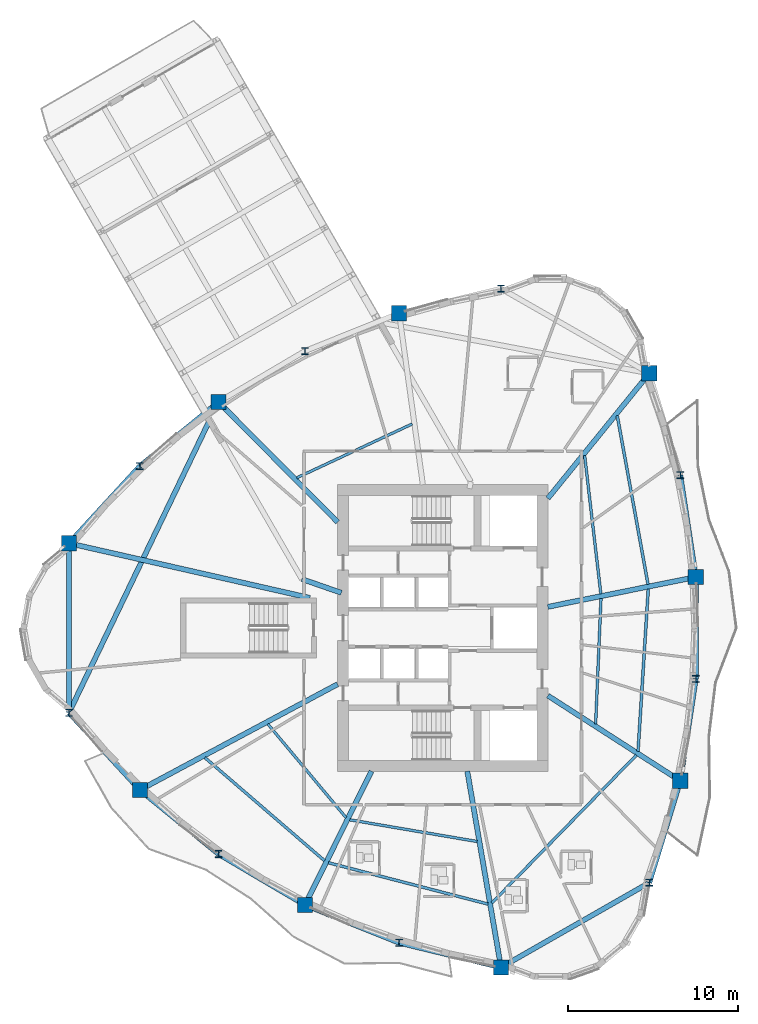
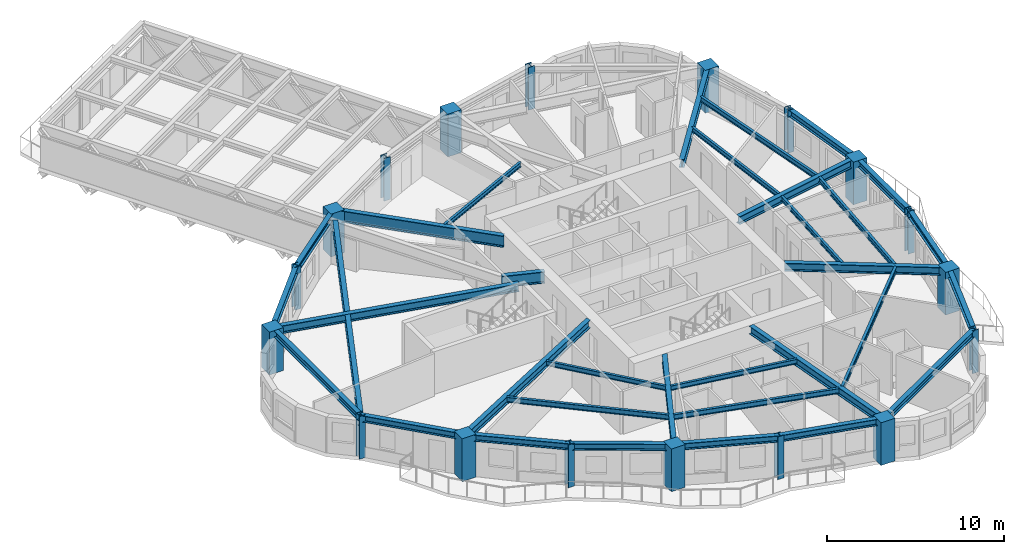
# One storey, part 1 of 14: 33 beams, 18 columns.
"""IFC4 building model written with IfcOpenShell, lengths in metres."""

from ifc_helpers import new_model, si_unit, direction, frame, origin, origin_2d, place, context, subcontext, project, spatial, rectangle, i_section, extrude, source, transform, mapped, material, material_profile, profile_set, type_object, element, save


model = new_model("IFC4")

# Units and contexts
model_context = context("Model", 3, precision=1e-05, world=origin(), true_north=direction((0.0, 1.0)))
body_context = subcontext(model_context, "Body", "Model", "MODEL_VIEW")
ifc_project = project(units=[si_unit("LENGTHUNIT", "METRE"), si_unit("AREAUNIT", "SQUARE_METRE"), si_unit("VOLUMEUNIT", "CUBIC_METRE"), si_unit("PLANEANGLEUNIT", "RADIAN"), si_unit("MASSUNIT", "GRAM", prefix="KILO")], contexts=[model_context])

# Site, building, storey
site_placement = place(None, origin())
site = spatial("IfcSite", under=ifc_project, at=site_placement, CompositionType="ELEMENT")
building_placement = place(site_placement, origin())
building = spatial("IfcBuilding", under=site, at=building_placement, Name="Qafzar Sky-Pleat Residences", CompositionType="ELEMENT")
storey_placement = place(building_placement, frame((0.0, 0.0, 86.39990234375)))
storey = spatial("IfcBuildingStorey", under=building, at=storey_placement, Name="L25", CompositionType="ELEMENT", Elevation=86.39990234375)

# Columns
ifc_material_1 = material(Name="Concrete C60/75", Category="concrete")
ifc_material_profile_1 = material_profile(ifc_material_1, rectangle(XDim=0.89990234375, YDim=0.89990234375, at=origin_2d()), Name="RC 900x900")
ifc_profile_set_1 = profile_set([ifc_material_profile_1], Name="Concrete C60/75")
column_type_1 = type_object("IfcColumnType", Name="COL-RC-900", PredefinedType="COLUMN", material=ifc_profile_set_1)
shared_shape_1 = source(origin(), body_context, "Body", "SweptSolid", [
    extrude(rectangle(XDim=0.89990234375, YDim=0.89990234375, at=origin_2d()), origin(), (0.0, 0.0, 1.0), 2.9501953125),
])
for number, where, z_axis, x_axis, name in (
    (1, (8.310302734375, 30.996337890625, 0.0), (0.0, 0.0, 1.0), (1.0, 0.0, 0.0), "L25 Perimeter Mega Column 1"),
    (2, (12.49267578125, 16.45068359375, 0.0), (0.0, 0.0, 1.0), (1.0, 0.0, 0.0), "L25 Perimeter Mega Column 3"),
    (3, (22.2265625, 9.668701171875, 0.0), (0.0, 0.0, 1.0), (1.0, 0.0, 0.0), "L25 Perimeter Mega Column 5"),
    (4, (33.787109375, 5.984619140625, 0.0), (0.0, 0.0, 1.0), (1.0, 0.0, 0.0), "L25 Perimeter Mega Column 7"),
    (5, (44.35888671875, 16.988525390625, 0.0), (0.0, 0.0, 1.0), (1.0, 0.0, 0.0), "L25 Perimeter Mega Column 9"),
    (6, (45.27197265625, 29.00390625, 0.0), (0.0, 0.0, 1.0), (1.0, 0.0, 0.0), "L25 Perimeter Mega Column 11"),
    (7, (42.532470703125, 41.01904296875, 0.0), (0.0, 0.0, 1.0), (1.0, 0.0, 0.0), "L25 Perimeter Mega Column 13"),
    (8, (27.778564453125, 44.560546875, 0.0), (0.0, 0.0, 1.0), (1.0, 0.0, 0.0), "L25 Perimeter Mega Column 15"),
    (9, (17.13134765625, 39.327392578125, 0.0), (0.0, 0.0, 1.0), (1.0, 0.0, 0.0), "L25 Perimeter Mega Column 17"),
):
    element("IfcColumn", number, at=place(storey_placement, frame(where, z_axis=z_axis, x_axis=x_axis)), inside=storey, type_object=column_type_1, Name=name, PredefinedType="COLUMN", context=body_context, shape_type="MappedRepresentation", body=[
        mapped(shared_shape_1, transform((0.0, 0.0, 0.0), x_axis=(1.0, 0.0, 0.0), y_axis=(0.0, 1.0, 0.0), z_axis=(0.0, 0.0, 1.0), scale=1.0)),
    ])
ifc_material_2 = material(Name="Steel S460", Category="steel")
ifc_material_profile_2 = material_profile(ifc_material_2, i_section(OverallWidth=0.406005859375, OverallDepth=0.416015625, WebThickness=0.027099609375, FlangeThickness=0.0439453125, FilletRadius=0.014892578125, at=origin_2d()), Name="HD 400x382")
ifc_profile_set_2 = profile_set([ifc_material_profile_2], Name="Steel S460")
column_type_2 = type_object("IfcColumnType", Name="COL-STL-HD382", PredefinedType="PILASTER", material=ifc_profile_set_2)
shared_shape_2 = source(origin(), body_context, "Body", "SweptSolid", [
    extrude(i_section(OverallWidth=0.406005859375, OverallDepth=0.416015625, WebThickness=0.027099609375, FlangeThickness=0.0439453125, FilletRadius=0.014892578125, at=origin_2d()), origin(), (0.0, 0.0, 1.0), 2.9501953125),
])
for number, where, z_axis, x_axis, name in (
    (10, (8.310302734375, 21.003662109375, 0.0), (0.0, 0.0, 1.0), (1.0, 0.0, 0.0), "L25 Perimeter Mega Column 2"),
    (11, (17.13134765625, 12.672607421875, 0.0), (0.0, 0.0, 1.0), (1.0, 0.0, 0.0), "L25 Perimeter Mega Column 4"),
    (12, (27.778564453125, 7.439453125, 0.0), (0.0, 0.0, 1.0), (1.0, 0.0, 0.0), "L25 Perimeter Mega Column 6"),
    (13, (42.532470703125, 10.98095703125, 0.0), (0.0, 0.0, 1.0), (1.0, 0.0, 0.0), "L25 Perimeter Mega Column 8"),
    (14, (45.27197265625, 22.99609375, 0.0), (0.0, 0.0, 1.0), (1.0, 0.0, 0.0), "L25 Perimeter Mega Column 10"),
    (15, (44.35888671875, 35.011474609375, 0.0), (0.0, 0.0, 1.0), (1.0, 0.0, 0.0), "L25 Perimeter Mega Column 12"),
    (16, (33.787109375, 46.015380859375, 0.0), (0.0, 0.0, 1.0), (1.0, 0.0, 0.0), "L25 Perimeter Mega Column 14"),
    (17, (22.2265625, 42.331298828125, 0.0), (0.0, 0.0, 1.0), (1.0, 0.0, 0.0), "L25 Perimeter Mega Column 16"),
    (18, (12.49267578125, 35.54931640625, 0.0), (0.0, 0.0, 1.0), (1.0, 0.0, 0.0), "L25 Perimeter Mega Column 18"),
):
    element("IfcColumn", number, at=place(storey_placement, frame(where, z_axis=z_axis, x_axis=x_axis)), inside=storey, type_object=column_type_2, Name=name, PredefinedType="PILASTER", context=body_context, shape_type="MappedRepresentation", body=[
        mapped(shared_shape_2, transform((0.0, 0.0, 0.0), x_axis=(1.0, 0.0, 0.0), y_axis=(0.0, 1.0, 0.0), z_axis=(0.0, 0.0, 1.0), scale=1.0)),
    ])

# Beams
ifc_material_3 = material(Name="Steel S355", Category="steel")
ifc_material_profile_3 = material_profile(ifc_material_3, i_section(OverallWidth=0.300048828125, OverallDepth=0.449951171875, WebThickness=0.013916015625, FlangeThickness=0.02587890625, FilletRadius=0.027099609375, at=origin_2d()), Name="HEB 450")
ifc_profile_set_3 = profile_set([ifc_material_profile_3], Name="Steel S355")
beam_type_1 = type_object("IfcBeamType", Name="BM-SPAN-HEB450", PredefinedType="SPANDREL", material=ifc_profile_set_3)
shared_shape_3 = source(origin(), body_context, "Body", "SweptSolid", [
    extrude(i_section(OverallWidth=0.300048828125, OverallDepth=0.449951171875, WebThickness=0.013916015625, FlangeThickness=0.02587890625, FilletRadius=0.027099609375, at=origin_2d()), origin(), (0.0, 0.0, 1.0), 10.072021484375),
])
beam_1_placement = place(storey_placement, frame((33.787109375, 5.984619140625, 2.72314453125), z_axis=(0.868286397172, 0.496063234363, 0.0), x_axis=(-0.496063234363, 0.868286397172, 0.0)))
element("IfcBeam", 19, at=beam_1_placement, inside=storey, type_object=beam_type_1, Name="L25 Perimeter Spandrel Beam 7", PredefinedType="SPANDREL", context=body_context, shape_type="MappedRepresentation", body=[
    mapped(shared_shape_3, transform((0.0, 0.0, 0.0), x_axis=(1.0, 0.0, 0.0), y_axis=(0.0, 1.0, 0.0), z_axis=(0.0, 0.0, 1.0), scale=1.0)),
])
shared_shape_4 = source(origin(), body_context, "Body", "SweptSolid", [
    extrude(i_section(OverallWidth=0.300048828125, OverallDepth=0.449951171875, WebThickness=0.013916015625, FlangeThickness=0.02587890625, FilletRadius=0.027099609375, at=origin_2d()), origin(), (0.0, 0.0, 1.0), 9.99267578125),
])
beam_2_placement = place(storey_placement, frame((8.310302734375, 30.996337890625, 2.72314453125), z_axis=(0.0, -1.0, 0.0), x_axis=(1.0, 0.0, 0.0)))
element("IfcBeam", 20, at=beam_2_placement, inside=storey, type_object=beam_type_1, Name="L25 Perimeter Spandrel Beam 1", PredefinedType="SPANDREL", context=body_context, shape_type="MappedRepresentation", body=[
    mapped(shared_shape_4, transform((0.0, 0.0, 0.0), x_axis=(1.0, 0.0, 0.0), y_axis=(0.0, 1.0, 0.0), z_axis=(0.0, 0.0, 1.0), scale=1.0)),
])
shared_shape_5 = source(origin(), body_context, "Body", "SweptSolid", [
    extrude(i_section(OverallWidth=0.300048828125, OverallDepth=0.449951171875, WebThickness=0.013916015625, FlangeThickness=0.02587890625, FilletRadius=0.027099609375, at=origin_2d()), origin(), (0.0, 0.0, 1.0), 6.182373046875),
])
for number, where, z_axis, x_axis, name in (
    (21, (8.310302734375, 21.003662109375, 2.72314453125), (0.67649855248, -0.736443961543, 0.0), (0.736443961543, 0.67649855248, 0.0), "L25 Perimeter Spandrel Beam 2"),
    (22, (12.49267578125, 35.54931640625, 2.72314453125), (-0.67649855248, -0.736443961543, 0.0), (0.736443961543, -0.67649855248, 0.0), "L25 Perimeter Spandrel Beam 18"),
):
    element("IfcBeam", number, at=place(storey_placement, frame(where, z_axis=z_axis, x_axis=x_axis)), inside=storey, type_object=beam_type_1, Name=name, PredefinedType="SPANDREL", context=body_context, shape_type="MappedRepresentation", body=[
        mapped(shared_shape_5, transform((0.0, 0.0, 0.0), x_axis=(1.0, 0.0, 0.0), y_axis=(0.0, 1.0, 0.0), z_axis=(0.0, 0.0, 1.0), scale=1.0)),
    ])
shared_shape_6 = source(origin(), body_context, "Body", "SweptSolid", [
    extrude(i_section(OverallWidth=0.300048828125, OverallDepth=0.449951171875, WebThickness=0.013916015625, FlangeThickness=0.02587890625, FilletRadius=0.027099609375, at=origin_2d()), origin(), (0.0, 0.0, 1.0), 5.982666015625),
])
for number, where, z_axis, x_axis, name in (
    (23, (12.49267578125, 16.45068359375, 2.72314453125), (0.775364493813, -0.631513975882, 0.0), (0.631513975882, 0.775364493813, 0.0), "L25 Perimeter Spandrel Beam 3"),
    (24, (17.13134765625, 39.327392578125, 2.72314453125), (-0.775364493813, -0.631513975882, 0.0), (0.631513975882, -0.775364493813, 0.0), "L25 Perimeter Spandrel Beam 17"),
):
    element("IfcBeam", number, at=place(storey_placement, frame(where, z_axis=z_axis, x_axis=x_axis)), inside=storey, type_object=beam_type_1, Name=name, PredefinedType="SPANDREL", context=body_context, shape_type="MappedRepresentation", body=[
        mapped(shared_shape_6, transform((0.0, 0.0, 0.0), x_axis=(1.0, 0.0, 0.0), y_axis=(0.0, 1.0, 0.0), z_axis=(0.0, 0.0, 1.0), scale=1.0)),
    ])
shared_shape_7 = source(origin(), body_context, "Body", "SweptSolid", [
    extrude(i_section(OverallWidth=0.300048828125, OverallDepth=0.449951171875, WebThickness=0.013916015625, FlangeThickness=0.02587890625, FilletRadius=0.027099609375, at=origin_2d()), origin(), (0.0, 0.0, 1.0), 5.914794921875),
])
beam_3_placement = place(storey_placement, frame((17.13134765625, 12.672607421875, 2.72314453125), z_axis=(0.861437212356, -0.50786408533, 0.0), x_axis=(0.50786408533, 0.861437212356, 0.0)))
element("IfcBeam", 25, at=beam_3_placement, inside=storey, type_object=beam_type_1, Name="L25 Perimeter Spandrel Beam 4", PredefinedType="SPANDREL", context=body_context, shape_type="MappedRepresentation", body=[
    mapped(shared_shape_7, transform((0.0, 0.0, 0.0), x_axis=(1.0, 0.0, 0.0), y_axis=(0.0, 1.0, 0.0), z_axis=(0.0, 0.0, 1.0), scale=1.0)),
])
shared_shape_8 = source(origin(), body_context, "Body", "SweptSolid", [
    extrude(i_section(OverallWidth=0.300048828125, OverallDepth=0.449951171875, WebThickness=0.013916015625, FlangeThickness=0.02587890625, FilletRadius=0.027099609375, at=origin_2d()), origin(), (0.0, 0.0, 1.0), 5.98291015625),
])
beam_4_placement = place(storey_placement, frame((22.2265625, 9.668701171875, 2.72314453125), z_axis=(0.927989024901, -0.372607527653, 0.0), x_axis=(0.372607527653, 0.927989024901, 0.0)))
element("IfcBeam", 26, at=beam_4_placement, inside=storey, type_object=beam_type_1, Name="L25 Perimeter Spandrel Beam 5", PredefinedType="SPANDREL", context=body_context, shape_type="MappedRepresentation", body=[
    mapped(shared_shape_8, transform((0.0, 0.0, 0.0), x_axis=(1.0, 0.0, 0.0), y_axis=(0.0, 1.0, 0.0), z_axis=(0.0, 0.0, 1.0), scale=1.0)),
])
shared_shape_9 = source(origin(), body_context, "Body", "SweptSolid", [
    extrude(i_section(OverallWidth=0.300048828125, OverallDepth=0.449951171875, WebThickness=0.013916015625, FlangeThickness=0.02587890625, FilletRadius=0.027099609375, at=origin_2d()), origin(), (0.0, 0.0, 1.0), 6.18212890625),
])
beam_5_placement = place(storey_placement, frame((27.778564453125, 7.439453125, 2.72314453125), z_axis=(0.971916102979, -0.235327620074, 0.0), x_axis=(0.235327620074, 0.971916102979, 0.0)))
element("IfcBeam", 27, at=beam_5_placement, inside=storey, type_object=beam_type_1, Name="L25 Perimeter Spandrel Beam 6", PredefinedType="SPANDREL", context=body_context, shape_type="MappedRepresentation", body=[
    mapped(shared_shape_9, transform((0.0, 0.0, 0.0), x_axis=(1.0, 0.0, 0.0), y_axis=(0.0, 1.0, 0.0), z_axis=(0.0, 0.0, 1.0), scale=1.0)),
])
shared_shape_10 = source(origin(), body_context, "Body", "SweptSolid", [
    extrude(i_section(OverallWidth=0.300048828125, OverallDepth=0.449951171875, WebThickness=0.013916015625, FlangeThickness=0.02587890625, FilletRadius=0.027099609375, at=origin_2d()), origin(), (0.0, 0.0, 1.0), 6.279052734375),
])
beam_6_placement = place(storey_placement, frame((42.532470703125, 10.98095703125, 2.72314453125), z_axis=(0.290873824385, 0.956761421822, 0.0), x_axis=(-0.956761421822, 0.290873824385, 0.0)))
element("IfcBeam", 28, at=beam_6_placement, inside=storey, type_object=beam_type_1, Name="L25 Perimeter Spandrel Beam 8", PredefinedType="SPANDREL", context=body_context, shape_type="MappedRepresentation", body=[
    mapped(shared_shape_10, transform((0.0, 0.0, 0.0), x_axis=(1.0, 0.0, 0.0), y_axis=(0.0, 1.0, 0.0), z_axis=(0.0, 0.0, 1.0), scale=1.0)),
])
shared_shape_11 = source(origin(), body_context, "Body", "SweptSolid", [
    extrude(i_section(OverallWidth=0.300048828125, OverallDepth=0.449951171875, WebThickness=0.013916015625, FlangeThickness=0.02587890625, FilletRadius=0.027099609375, at=origin_2d()), origin(), (0.0, 0.0, 1.0), 6.07666015625),
])
for number, where, z_axis, x_axis, name in (
    (29, (44.35888671875, 16.988525390625, 2.72314453125), (0.150263580775, 0.988645971161, 0.0), (-0.988645971161, 0.150263580775, 0.0), "L25 Perimeter Spandrel Beam 9"),
    (30, (45.27197265625, 29.00390625, 2.72314453125), (-0.150263580775, 0.988645971161, 0.0), (-0.988645971161, -0.150263580775, 0.0), "L25 Perimeter Spandrel Beam 11"),
):
    element("IfcBeam", number, at=place(storey_placement, frame(where, z_axis=z_axis, x_axis=x_axis)), inside=storey, type_object=beam_type_1, Name=name, PredefinedType="SPANDREL", context=body_context, shape_type="MappedRepresentation", body=[
        mapped(shared_shape_11, transform((0.0, 0.0, 0.0), x_axis=(1.0, 0.0, 0.0), y_axis=(0.0, 1.0, 0.0), z_axis=(0.0, 0.0, 1.0), scale=1.0)),
    ])
shared_shape_12 = source(origin(), body_context, "Body", "SweptSolid", [
    extrude(i_section(OverallWidth=0.300048828125, OverallDepth=0.449951171875, WebThickness=0.013916015625, FlangeThickness=0.02587890625, FilletRadius=0.027099609375, at=origin_2d()), origin(), (0.0, 0.0, 1.0), 6.0078125),
])
beam_7_placement = place(storey_placement, frame((45.27197265625, 22.99609375, 2.72314453125), z_axis=(0.0, 1.0, 0.0), x_axis=(-1.0, 0.0, 0.0)))
element("IfcBeam", 31, at=beam_7_placement, inside=storey, type_object=beam_type_1, Name="L25 Perimeter Spandrel Beam 10", PredefinedType="SPANDREL", context=body_context, shape_type="MappedRepresentation", body=[
    mapped(shared_shape_12, transform((0.0, 0.0, 0.0), x_axis=(1.0, 0.0, 0.0), y_axis=(0.0, 1.0, 0.0), z_axis=(0.0, 0.0, 1.0), scale=1.0)),
])
ifc_material_profile_4 = material_profile(ifc_material_3, i_section(OverallWidth=0.300048828125, OverallDepth=0.550048828125, WebThickness=0.014892578125, FlangeThickness=0.029052734375, FilletRadius=0.027099609375, at=origin_2d()), Name="HEB 550")
ifc_profile_set_4 = profile_set([ifc_material_profile_4], Name="Steel S355")
beam_type_2 = type_object("IfcBeamType", Name="BM-GIRD-HEB550", PredefinedType="BEAM", material=ifc_profile_set_4)
shared_shape_13 = source(origin(), body_context, "Body", "SweptSolid", [
    extrude(i_section(OverallWidth=0.300048828125, OverallDepth=0.550048828125, WebThickness=0.014892578125, FlangeThickness=0.029052734375, FilletRadius=0.027099609375, at=origin_2d()), origin(), (0.0, 0.0, 1.0), 14.570556640625),
])
beam_8_placement = place(storey_placement, frame((8.310302734375, 30.996337890625, 2.673095703125), z_axis=(0.975252866823, -0.221092391893, 0.0), x_axis=(0.221092391893, 0.975252866823, 0.0)))
element("IfcBeam", 32, at=beam_8_placement, inside=storey, type_object=beam_type_2, Name="L25 Radial Floor Girder 1", PredefinedType="BEAM", context=body_context, shape_type="MappedRepresentation", body=[
    mapped(shared_shape_13, transform((0.0, 0.0, 0.0), x_axis=(1.0, 0.0, 0.0), y_axis=(0.0, 1.0, 0.0), z_axis=(0.0, 0.0, 1.0), scale=1.0)),
])
shared_shape_14 = source(origin(), body_context, "Body", "SweptSolid", [
    extrude(i_section(OverallWidth=0.300048828125, OverallDepth=0.550048828125, WebThickness=0.014892578125, FlangeThickness=0.029052734375, FilletRadius=0.027099609375, at=origin_2d()), origin(), (0.0, 0.0, 1.0), 13.219482421875),
])
beam_9_placement = place(storey_placement, frame((12.49267578125, 16.45068359375, 2.673095703125), z_axis=(0.881827865718, 0.471571431751, 0.0), x_axis=(-0.471571431751, 0.881827865718, 0.0)))
element("IfcBeam", 33, at=beam_9_placement, inside=storey, type_object=beam_type_2, Name="L25 Radial Floor Girder 3", PredefinedType="BEAM", context=body_context, shape_type="MappedRepresentation", body=[
    mapped(shared_shape_14, transform((0.0, 0.0, 0.0), x_axis=(1.0, 0.0, 0.0), y_axis=(0.0, 1.0, 0.0), z_axis=(0.0, 0.0, 1.0), scale=1.0)),
])
shared_shape_15 = source(origin(), body_context, "Body", "SweptSolid", [
    extrude(i_section(OverallWidth=0.300048828125, OverallDepth=0.550048828125, WebThickness=0.014892578125, FlangeThickness=0.029052734375, FilletRadius=0.027099609375, at=origin_2d()), origin(), (0.0, 0.0, 1.0), 8.802490234375),
])
beam_10_placement = place(storey_placement, frame((22.2265625, 9.668701171875, 2.673095703125), z_axis=(0.445371033595, 0.895346102038, 0.0), x_axis=(-0.895346102038, 0.445371033595, 0.0)))
element("IfcBeam", 34, at=beam_10_placement, inside=storey, type_object=beam_type_2, Name="L25 Radial Floor Girder 5", PredefinedType="BEAM", context=body_context, shape_type="MappedRepresentation", body=[
    mapped(shared_shape_15, transform((0.0, 0.0, 0.0), x_axis=(1.0, 0.0, 0.0), y_axis=(0.0, 1.0, 0.0), z_axis=(0.0, 0.0, 1.0), scale=1.0)),
])
shared_shape_16 = source(origin(), body_context, "Body", "SweptSolid", [
    extrude(i_section(OverallWidth=0.300048828125, OverallDepth=0.550048828125, WebThickness=0.014892578125, FlangeThickness=0.029052734375, FilletRadius=0.027099609375, at=origin_2d()), origin(), (0.0, 0.0, 1.0), 11.734619140625),
])
beam_11_placement = place(storey_placement, frame((33.787109375, 5.984619140625, 2.673095703125), z_axis=(-0.169248494734, 0.985573410269, 0.0), x_axis=(-0.985573410269, -0.169248494734, 0.0)))
element("IfcBeam", 35, at=beam_11_placement, inside=storey, type_object=beam_type_2, Name="L25 Radial Floor Girder 7", PredefinedType="BEAM", context=body_context, shape_type="MappedRepresentation", body=[
    mapped(shared_shape_16, transform((0.0, 0.0, 0.0), x_axis=(1.0, 0.0, 0.0), y_axis=(0.0, 1.0, 0.0), z_axis=(0.0, 0.0, 1.0), scale=1.0)),
])
shared_shape_17 = source(origin(), body_context, "Body", "SweptSolid", [
    extrude(i_section(OverallWidth=0.300048828125, OverallDepth=0.550048828125, WebThickness=0.014892578125, FlangeThickness=0.029052734375, FilletRadius=0.027099609375, at=origin_2d()), origin(), (0.0, 0.0, 1.0), 9.284912109375),
])
beam_12_placement = place(storey_placement, frame((44.35888671875, 16.988525390625, 2.673095703125), z_axis=(-0.841020389397, 0.54100342385, 0.0), x_axis=(-0.54100342385, -0.841020389397, 0.0)))
element("IfcBeam", 36, at=beam_12_placement, inside=storey, type_object=beam_type_2, Name="L25 Radial Floor Girder 9", PredefinedType="BEAM", context=body_context, shape_type="MappedRepresentation", body=[
    mapped(shared_shape_17, transform((0.0, 0.0, 0.0), x_axis=(1.0, 0.0, 0.0), y_axis=(0.0, 1.0, 0.0), z_axis=(0.0, 0.0, 1.0), scale=1.0)),
])
shared_shape_18 = source(origin(), body_context, "Body", "SweptSolid", [
    extrude(i_section(OverallWidth=0.300048828125, OverallDepth=0.550048828125, WebThickness=0.014892578125, FlangeThickness=0.029052734375, FilletRadius=0.027099609375, at=origin_2d()), origin(), (0.0, 0.0, 1.0), 8.89697265625),
])
beam_13_placement = place(storey_placement, frame((45.27197265625, 29.00390625, 2.673095703125), z_axis=(-0.980331866543, -0.197356103126, 0.0), x_axis=(0.197356103126, -0.980331866543, 0.0)))
element("IfcBeam", 37, at=beam_13_placement, inside=storey, type_object=beam_type_2, Name="L25 Radial Floor Girder 11", PredefinedType="BEAM", context=body_context, shape_type="MappedRepresentation", body=[
    mapped(shared_shape_18, transform((0.0, 0.0, 0.0), x_axis=(1.0, 0.0, 0.0), y_axis=(0.0, 1.0, 0.0), z_axis=(0.0, 0.0, 1.0), scale=1.0)),
])
shared_shape_19 = source(origin(), body_context, "Body", "SweptSolid", [
    extrude(i_section(OverallWidth=0.300048828125, OverallDepth=0.550048828125, WebThickness=0.014892578125, FlangeThickness=0.029052734375, FilletRadius=0.027099609375, at=origin_2d()), origin(), (0.0, 0.0, 1.0), 9.49658203125),
])
beam_14_placement = place(storey_placement, frame((42.532470703125, 41.01904296875, 2.673095703125), z_axis=(-0.629947833467, -0.776637448949, 0.0), x_axis=(0.776637448949, -0.629947833467, 0.0)))
element("IfcBeam", 38, at=beam_14_placement, inside=storey, type_object=beam_type_2, Name="L25 Radial Floor Girder 13", PredefinedType="BEAM", context=body_context, shape_type="MappedRepresentation", body=[
    mapped(shared_shape_19, transform((0.0, 0.0, 0.0), x_axis=(1.0, 0.0, 0.0), y_axis=(0.0, 1.0, 0.0), z_axis=(0.0, 0.0, 1.0), scale=1.0)),
])
ifc_material_profile_5 = material_profile(ifc_material_2, i_section(OverallWidth=0.300048828125, OverallDepth=0.800048828125, WebThickness=0.017578125, FlangeThickness=0.032958984375, FilletRadius=0.030029296875, at=origin_2d()), Name="HEB 800")
ifc_profile_set_5 = profile_set([ifc_material_profile_5], Name="Steel S460")
beam_type_3 = type_object("IfcBeamType", Name="BM-CHORD-HEB800", PredefinedType="BEAM", material=ifc_profile_set_5)
shared_shape_20 = source(origin(), body_context, "Body", "SweptSolid", [
    extrude(i_section(OverallWidth=0.300048828125, OverallDepth=0.800048828125, WebThickness=0.017578125, FlangeThickness=0.032958984375, FilletRadius=0.030029296875, at=origin_2d()), origin(), (0.0, 0.0, 1.0), 9.966796875),
])
beam_15_placement = place(storey_placement, frame((17.13134765625, 39.327392578125, 2.548095703125), z_axis=(0.704198100427, -0.710003546016, 0.0), x_axis=(0.710003546016, 0.704198100427, 0.0)))
element("IfcBeam", 39, at=beam_15_placement, inside=storey, type_object=beam_type_3, Name="L25 Radial Floor Girder 17", PredefinedType="BEAM", context=body_context, shape_type="MappedRepresentation", body=[
    mapped(shared_shape_20, transform((0.0, 0.0, 0.0), x_axis=(1.0, 0.0, 0.0), y_axis=(0.0, 1.0, 0.0), z_axis=(0.0, 0.0, 1.0), scale=1.0)),
])
ifc_material_profile_6 = material_profile(ifc_material_3, i_section(OverallWidth=0.169921875, OverallDepth=0.360107421875, WebThickness=0.008056640625, FlangeThickness=0.0126953125, FilletRadius=0.01806640625, at=origin_2d()), Name="IPE 360")
ifc_profile_set_6 = profile_set([ifc_material_profile_6], Name="Steel S355")
beam_type_4 = type_object("IfcBeamType", Name="BM-JST-IPE360", PredefinedType="JOIST", material=ifc_profile_set_6)
shared_shape_21 = source(origin(), body_context, "Body", "SweptSolid", [
    extrude(i_section(OverallWidth=0.169921875, OverallDepth=0.360107421875, WebThickness=0.008056640625, FlangeThickness=0.0126953125, FilletRadius=0.01806640625, at=origin_2d()), origin(), (0.0, 0.0, 1.0), 9.3115234375),
])
beam_16_placement = place(storey_placement, frame((16.3251953125, 18.357421875, 2.76806640625), z_axis=(0.757525307133, -0.652805797349, 0.0), x_axis=(0.652805797349, 0.757525307133, 0.0)))
element("IfcBeam", 40, at=beam_16_placement, inside=storey, type_object=beam_type_4, Name="L25 Outer Secondary Floor Joist 2", PredefinedType="JOIST", context=body_context, shape_type="MappedRepresentation", body=[
    mapped(shared_shape_21, transform((0.0, 0.0, 0.0), x_axis=(1.0, 0.0, 0.0), y_axis=(0.0, 1.0, 0.0), z_axis=(0.0, 0.0, 1.0), scale=1.0)),
])
shared_shape_22 = source(origin(), body_context, "Body", "SweptSolid", [
    extrude(i_section(OverallWidth=0.169921875, OverallDepth=0.360107421875, WebThickness=0.008056640625, FlangeThickness=0.0126953125, FilletRadius=0.01806640625, at=origin_2d()), origin(), (0.0, 0.0, 1.0), 9.719482421875),
])
beam_17_placement = place(storey_placement, frame((23.61181640625, 12.156982421875, 2.76806640625), z_axis=(0.96804321213, -0.250783451307, 0.0), x_axis=(0.250783451307, 0.96804321213, 0.0)))
element("IfcBeam", 41, at=beam_17_placement, inside=storey, type_object=beam_type_4, Name="L25 Outer Secondary Floor Joist 3", PredefinedType="JOIST", context=body_context, shape_type="MappedRepresentation", body=[
    mapped(shared_shape_22, transform((0.0, 0.0, 0.0), x_axis=(1.0, 0.0, 0.0), y_axis=(0.0, 1.0, 0.0), z_axis=(0.0, 0.0, 1.0), scale=1.0)),
])
shared_shape_23 = source(origin(), body_context, "Body", "SweptSolid", [
    extrude(i_section(OverallWidth=0.169921875, OverallDepth=0.360107421875, WebThickness=0.008056640625, FlangeThickness=0.0126953125, FilletRadius=0.01806640625, at=origin_2d()), origin(), (0.0, 0.0, 1.0), 12.189453125),
])
beam_18_placement = place(storey_placement, frame((33.245849609375, 9.781982421875, 2.76806640625), z_axis=(0.698948547423, 0.715171956983, 0.0), x_axis=(-0.715171956983, 0.698948547423, 0.0)))
element("IfcBeam", 42, at=beam_18_placement, inside=storey, type_object=beam_type_4, Name="L25 Outer Secondary Floor Joist 4", PredefinedType="JOIST", context=body_context, shape_type="MappedRepresentation", body=[
    mapped(shared_shape_23, transform((0.0, 0.0, 0.0), x_axis=(1.0, 0.0, 0.0), y_axis=(0.0, 1.0, 0.0), z_axis=(0.0, 0.0, 1.0), scale=1.0)),
])
shared_shape_24 = source(origin(), body_context, "Body", "SweptSolid", [
    extrude(i_section(OverallWidth=0.169921875, OverallDepth=0.360107421875, WebThickness=0.008056640625, FlangeThickness=0.0126953125, FilletRadius=0.01806640625, at=origin_2d()), origin(), (0.0, 0.0, 1.0), 9.595458984375),
])
beam_19_placement = place(storey_placement, frame((41.868408203125, 18.730712890625, 2.76806640625), z_axis=(0.062946940691, 0.998016874936, 0.0), x_axis=(-0.998016874936, 0.062946940691, 0.0)))
element("IfcBeam", 43, at=beam_19_placement, inside=storey, type_object=beam_type_4, Name="L25 Outer Secondary Floor Joist 5", PredefinedType="JOIST", context=body_context, shape_type="MappedRepresentation", body=[
    mapped(shared_shape_24, transform((0.0, 0.0, 0.0), x_axis=(1.0, 0.0, 0.0), y_axis=(0.0, 1.0, 0.0), z_axis=(0.0, 0.0, 1.0), scale=1.0)),
])
shared_shape_25 = source(origin(), body_context, "Body", "SweptSolid", [
    extrude(i_section(OverallWidth=0.169921875, OverallDepth=0.360107421875, WebThickness=0.008056640625, FlangeThickness=0.0126953125, FilletRadius=0.01806640625, at=origin_2d()), origin(), (0.0, 0.0, 1.0), 10.115478515625),
])
beam_20_placement = place(storey_placement, frame((42.456787109375, 28.57470703125, 2.76806640625), z_axis=(-0.179373915619, 0.983780970743, 0.0), x_axis=(-0.983780970743, -0.179373915619, 0.0)))
element("IfcBeam", 44, at=beam_20_placement, inside=storey, type_object=beam_type_4, Name="L25 Outer Secondary Floor Joist 6", PredefinedType="JOIST", context=body_context, shape_type="MappedRepresentation", body=[
    mapped(shared_shape_25, transform((0.0, 0.0, 0.0), x_axis=(1.0, 0.0, 0.0), y_axis=(0.0, 1.0, 0.0), z_axis=(0.0, 0.0, 1.0), scale=1.0)),
])
ifc_material_profile_7 = material_profile(ifc_material_3, i_section(OverallWidth=0.159912109375, OverallDepth=0.330078125, WebThickness=0.007568359375, FlangeThickness=0.011474609375, FilletRadius=0.01806640625, at=origin_2d()), Name="IPE 330")
ifc_profile_set_7 = profile_set([ifc_material_profile_7], Name="Steel S355")
beam_type_5 = type_object("IfcBeamType", Name="BM-JST-IPE330", PredefinedType="JOIST", material=ifc_profile_set_7)
shared_shape_26 = source(origin(), body_context, "Body", "SweptSolid", [
    extrude(i_section(OverallWidth=0.159912109375, OverallDepth=0.330078125, WebThickness=0.007568359375, FlangeThickness=0.011474609375, FilletRadius=0.01806640625, at=origin_2d()), origin(), (0.0, 0.0, 1.0), 7.19189453125),
])
beam_21_placement = place(storey_placement, frame((20.039794921875, 20.3369140625, 2.783203125), z_axis=(0.640918697045, -0.767608769999, 0.0), x_axis=(0.767608769999, 0.640918697045, 0.0)))
element("IfcBeam", 45, at=beam_21_placement, inside=storey, type_object=beam_type_5, Name="L25 Inner Secondary Floor Joist 2", PredefinedType="JOIST", context=body_context, shape_type="MappedRepresentation", body=[
    mapped(shared_shape_26, transform((0.0, 0.0, 0.0), x_axis=(1.0, 0.0, 0.0), y_axis=(0.0, 1.0, 0.0), z_axis=(0.0, 0.0, 1.0), scale=1.0)),
])
shared_shape_27 = source(origin(), body_context, "Body", "SweptSolid", [
    extrude(i_section(OverallWidth=0.159912109375, OverallDepth=0.330078125, WebThickness=0.007568359375, FlangeThickness=0.011474609375, FilletRadius=0.01806640625, at=origin_2d()), origin(), (0.0, 0.0, 1.0), 7.62255859375),
])
beam_22_placement = place(storey_placement, frame((24.86865234375, 14.68994140625, 2.783203125), z_axis=(0.985783042332, -0.168023193192, 0.0), x_axis=(0.168023193192, 0.985783042332, 0.0)))
element("IfcBeam", 46, at=beam_22_placement, inside=storey, type_object=beam_type_5, Name="L25 Inner Secondary Floor Joist 3", PredefinedType="JOIST", context=body_context, shape_type="MappedRepresentation", body=[
    mapped(shared_shape_27, transform((0.0, 0.0, 0.0), x_axis=(1.0, 0.0, 0.0), y_axis=(0.0, 1.0, 0.0), z_axis=(0.0, 0.0, 1.0), scale=1.0)),
])
shared_shape_28 = source(origin(), body_context, "Body", "SweptSolid", [
    extrude(i_section(OverallWidth=0.159912109375, OverallDepth=0.330078125, WebThickness=0.007568359375, FlangeThickness=0.011474609375, FilletRadius=0.01806640625, at=origin_2d()), origin(), (0.0, 0.0, 1.0), 7.413818359375),
])
beam_23_placement = place(storey_placement, frame((39.366943359375, 20.33837890625, 2.783203125), z_axis=(0.042776985231, 0.999084645831, 0.0), x_axis=(-0.999084645831, 0.042776985231, 0.0)))
element("IfcBeam", 47, at=beam_23_placement, inside=storey, type_object=beam_type_5, Name="L25 Inner Secondary Floor Joist 5", PredefinedType="JOIST", context=body_context, shape_type="MappedRepresentation", body=[
    mapped(shared_shape_28, transform((0.0, 0.0, 0.0), x_axis=(1.0, 0.0, 0.0), y_axis=(0.0, 1.0, 0.0), z_axis=(0.0, 0.0, 1.0), scale=1.0)),
])
shared_shape_29 = source(origin(), body_context, "Body", "SweptSolid", [
    extrude(i_section(OverallWidth=0.159912109375, OverallDepth=0.330078125, WebThickness=0.007568359375, FlangeThickness=0.011474609375, FilletRadius=0.01806640625, at=origin_2d()), origin(), (0.0, 0.0, 1.0), 8.206298828125),
])
beam_24_placement = place(storey_placement, frame((39.67431640625, 28.01416015625, 2.783203125), z_axis=(-0.116352742459, 0.993207953715, 0.0), x_axis=(-0.993207953715, -0.116352742459, 0.0)))
element("IfcBeam", 48, at=beam_24_placement, inside=storey, type_object=beam_type_5, Name="L25 Inner Secondary Floor Joist 6", PredefinedType="JOIST", context=body_context, shape_type="MappedRepresentation", body=[
    mapped(shared_shape_29, transform((0.0, 0.0, 0.0), x_axis=(1.0, 0.0, 0.0), y_axis=(0.0, 1.0, 0.0), z_axis=(0.0, 0.0, 1.0), scale=1.0)),
])
shared_shape_30 = source(origin(), body_context, "Body", "SweptSolid", [
    extrude(i_section(OverallWidth=0.159912109375, OverallDepth=0.330078125, WebThickness=0.007568359375, FlangeThickness=0.011474609375, FilletRadius=0.01806640625, at=origin_2d()), origin(), (0.0, 0.0, 1.0), 7.511962890625),
])
beam_25_placement = place(storey_placement, frame((28.552734375, 38.03271484375, 2.783203125), z_axis=(-0.90616570308, -0.422922828139, 0.0), x_axis=(0.422922828139, -0.90616570308, 0.0)))
element("IfcBeam", 49, at=beam_25_placement, inside=storey, type_object=beam_type_5, Name="L25 Inner Secondary Floor Joist 8", PredefinedType="JOIST", context=body_context, shape_type="MappedRepresentation", body=[
    mapped(shared_shape_30, transform((0.0, 0.0, 0.0), x_axis=(1.0, 0.0, 0.0), y_axis=(0.0, 1.0, 0.0), z_axis=(0.0, 0.0, 1.0), scale=1.0)),
])
shared_shape_31 = source(origin(), body_context, "Body", "SweptSolid", [
    extrude(i_section(OverallWidth=0.300048828125, OverallDepth=0.800048828125, WebThickness=0.017578125, FlangeThickness=0.032958984375, FilletRadius=0.030029296875, at=origin_2d()), origin(), (0.0, 0.0, 1.0), 2.466064453125),
])
beam_26_placement = place(storey_placement, frame((22.04541015625, 28.884033203125, 2.546142578125), z_axis=(0.944679629097, -0.327994509662, 0.0), x_axis=(0.327994509662, 0.944679629097, 0.0)))
element("IfcBeam", 50, at=beam_26_placement, inside=storey, type_object=beam_type_3, Name="L25 SB-2 Core Back-Span Tie Girder L", PredefinedType="BEAM", context=body_context, shape_type="MappedRepresentation", body=[
    mapped(shared_shape_31, transform((0.0, 0.0, 0.0), x_axis=(1.0, 0.0, 0.0), y_axis=(0.0, 1.0, 0.0), z_axis=(0.0, 0.0, 1.0), scale=1.0)),
])
shared_shape_32 = source(origin(), body_context, "Body", "SweptSolid", [
    extrude(i_section(OverallWidth=0.300048828125, OverallDepth=0.800048828125, WebThickness=0.017578125, FlangeThickness=0.032958984375, FilletRadius=0.030029296875, at=origin_2d()), origin(), (0.0, 0.0, 1.0), 19.171630859375),
])
beam_27_placement = place(storey_placement, frame((8.310302734375, 21.003662109375, 2.548095703125), z_axis=(0.433458733628, 0.901173416298, 0.0), x_axis=(-0.901173416298, 0.433458733628, 0.0)))
element("IfcBeam", 51, at=beam_27_placement, inside=storey, type_object=beam_type_3, Name="L25 SB-2 Wing-Belt Top Chord L", PredefinedType="BEAM", context=body_context, shape_type="MappedRepresentation", body=[
    mapped(shared_shape_32, transform((0.0, 0.0, 0.0), x_axis=(1.0, 0.0, 0.0), y_axis=(0.0, 1.0, 0.0), z_axis=(0.0, 0.0, 1.0), scale=1.0)),
])

save(model, "model.ifc")
